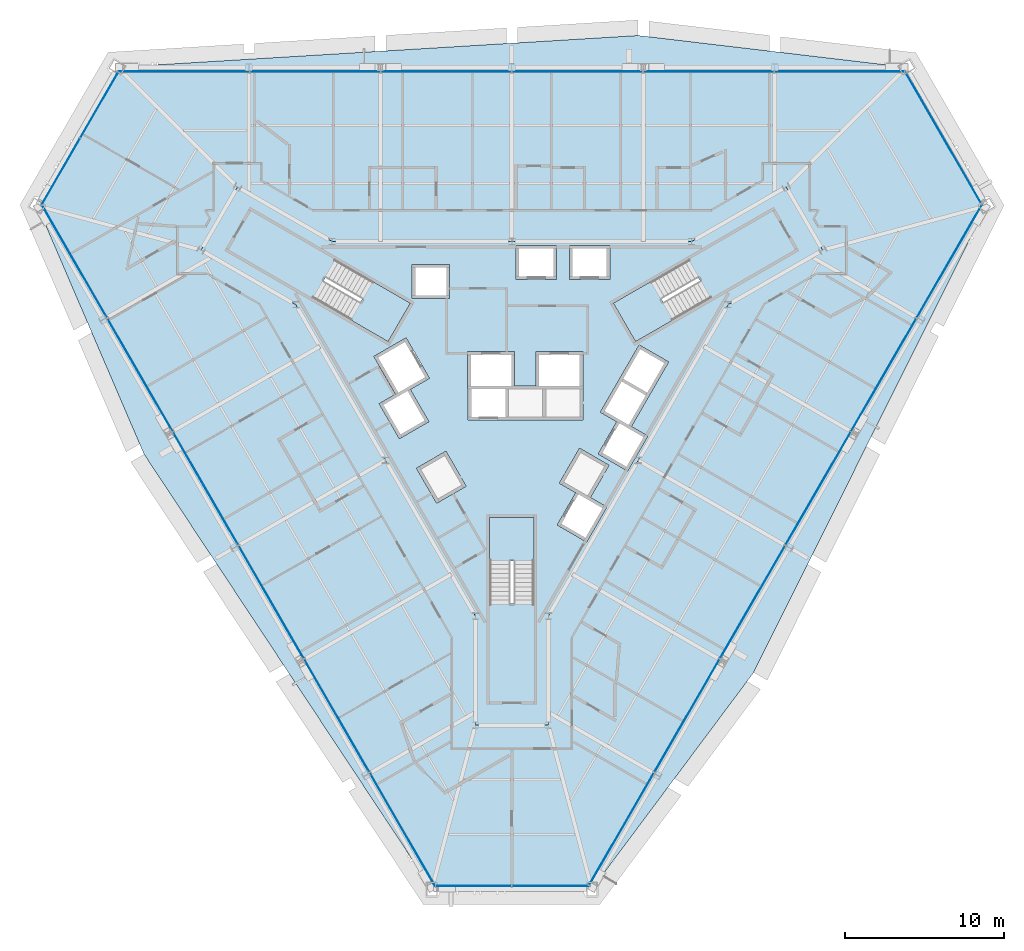
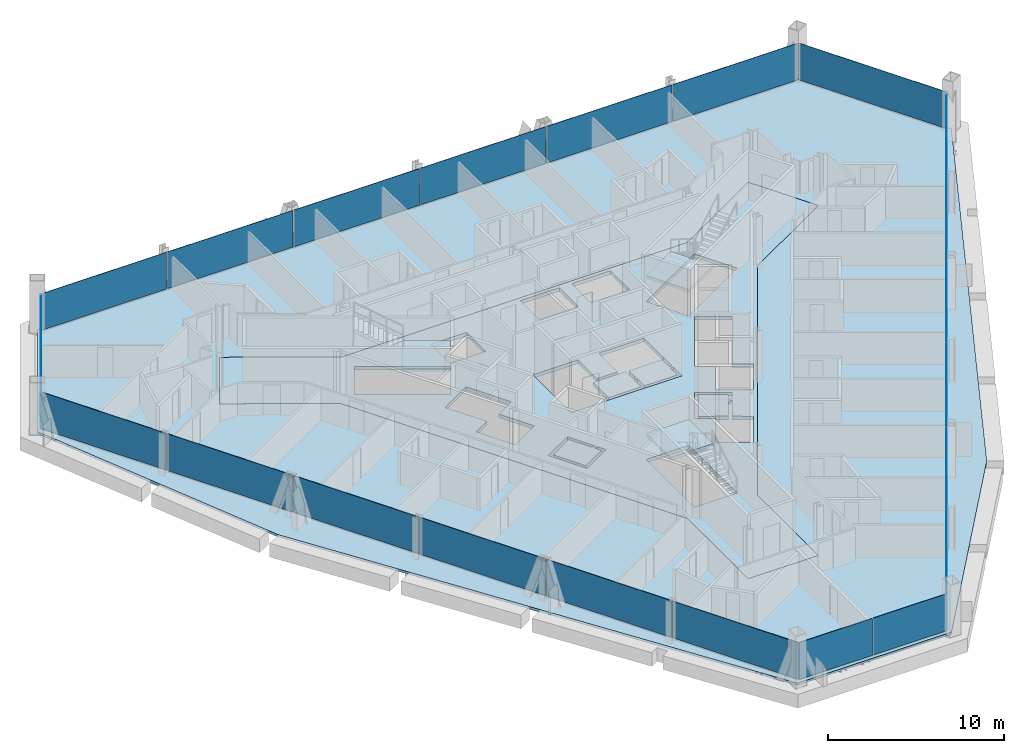
# One storey, part 9 of 17: 23 plates, 5 slabs, 9 elements without a shape of their own.
"""IFC4 building model written with IfcOpenShell, lengths in metres."""

from ifc_helpers import new_model, si_unit, direction, frame, origin, origin_2d, place, context, subcontext, project, spatial, polyline, rectangle, outline, extrude, material, layer, layer_set, type_object, element, aggregate, save


model = new_model("IFC4")

# Units and contexts
model_context = context("Model", 3, precision=1e-05, world=origin(), true_north=direction((0.0, 1.0)))
body_context = subcontext(model_context, "Body", "Model", "MODEL_VIEW")
ifc_project = project(units=[si_unit("LENGTHUNIT", "METRE"), si_unit("AREAUNIT", "SQUARE_METRE"), si_unit("VOLUMEUNIT", "CUBIC_METRE"), si_unit("PLANEANGLEUNIT", "RADIAN"), si_unit("MASSUNIT", "GRAM", prefix="KILO")], contexts=[model_context])

# Site, building, storey
site_placement = place(None, origin())
site = spatial("IfcSite", under=ifc_project, at=site_placement, CompositionType="ELEMENT")
building_placement = place(site_placement, origin())
building = spatial("IfcBuilding", under=site, at=building_placement, Name="Verrane Prism Tower", CompositionType="ELEMENT")
storey_placement = place(building_placement, frame((0.0, 0.0, 139.60009765625)))
storey = spatial("IfcBuildingStorey", under=building, at=storey_placement, Name="L34", CompositionType="ELEMENT", Elevation=139.60009765625)

# Slabs
ifc_material_1 = material(Name="Concrete C35/45", Category="concrete")
ifc_layer_1 = layer(ifc_material_1, 0.159912109375)
ifc_layer_set_1 = layer_set([ifc_layer_1], Name="Composite floor slab")
slab_type_1 = type_object("IfcSlabType", Name="Composite floor slab", PredefinedType="FLOOR", material=ifc_layer_set_1)
slab_1_placement = place(storey_placement, frame((0.0, 0.0, -0.16015625)))
element("IfcSlab", 1, at=slab_1_placement, inside=storey, type_object=slab_type_1, Name="Floor slab L34", PredefinedType="FLOOR", context=body_context, shape_type="SweptSolid", body=[
    extrude(outline(polyline([(15.23681640625, -17.989013671875), (5.047119140625, -31.63818359375), (-5.047119140625, -31.63818359375), (-23.197265625, -4.201171875), (-29.923095703125, 11.4482421875), (-24.876220703125, 20.18994140625), (7.96044921875, 22.18994140625), (24.876220703125, 20.18994140625), (29.923095703125, 11.4482421875), (15.23681640625, -17.989013671875)]), holes=[polyline([(19.60009765625, 8.659912109375), (17.300048828125, 12.639892578125), (11.330078125, 9.199951171875), (0.0, 9.199951171875), (-11.330078125, 9.199951171875), (-17.300048828125, 12.639892578125), (-19.60009765625, 8.659912109375), (-13.6298828125, 5.219970703125), (-7.969970703125, -4.60009765625), (-2.300048828125, -14.419921875), (-2.300048828125, -21.300048828125), (2.300048828125, -21.300048828125), (2.300048828125, -14.419921875), (7.969970703125, -4.60009765625), (13.6298828125, 5.219970703125), (19.60009765625, 8.659912109375)])]), origin(), (0.0, 0.0, 1.0), 0.16015625),
])
ifc_material_2 = material(Name="Concrete C40/50", Category="concrete")
ifc_layer_2 = layer(ifc_material_2, 0.25)
ifc_layer_set_2 = layer_set([ifc_layer_2], Name="Core floor slab 250 concrete C40/50")
slab_type_2 = type_object("IfcSlabType", Name="Core floor slab 250 concrete C40/50", PredefinedType="FLOOR", material=ifc_layer_set_2)
slab_2_placement = place(storey_placement, frame((0.0, 0.0, -0.25)))
element("IfcSlab", 2, at=slab_2_placement, inside=storey, type_object=slab_type_2, Name="Core floor L34", PredefinedType="FLOOR", context=body_context, shape_type="SweptSolid", body=[
    extrude(outline(polyline([(13.6298828125, 5.219970703125), (19.60009765625, 8.659912109375), (17.300048828125, 12.639892578125), (11.330078125, 9.199951171875), (0.0, 9.199951171875), (-11.330078125, 9.199951171875), (-17.300048828125, 12.639892578125), (-19.60009765625, 8.659912109375), (-13.6298828125, 5.219970703125), (-7.969970703125, -4.60009765625), (-2.300048828125, -14.419921875), (-2.300048828125, -21.300048828125), (2.300048828125, -21.300048828125), (2.300048828125, -14.419921875), (7.969970703125, -4.60009765625), (13.6298828125, 5.219970703125)]), holes=[polyline([(-1.39990234375, -8.199951171875), (1.39990234375, -8.199951171875), (1.39990234375, -13.639892578125), (-1.39990234375, -13.639892578125), (-1.39990234375, -8.199951171875)]), polyline([(-5.7451171875, -5.169921875), (-4.669921875, -7.031982421875), (-3.154052734375, -6.156982421875), (-3.39599609375, -5.738037109375), (-3.1650390625, -5.738037109375), (-2.881103515625, -6.22998046875), (-4.742919921875, -7.304931640625), (-6.01806640625, -5.096923828125), (-4.156005859375, -4.02197265625), (-3.2509765625, -5.587890625), (-3.48193359375, -5.587890625), (-4.22900390625, -4.294921875), (-5.7451171875, -5.169921875)]), polyline([(-8.7041015625, 1.955078125), (-6.66796875, 3.1298828125), (-5.193115234375, 0.574951171875), (-6.406005859375, -0.125), (-5.23095703125, -2.159912109375), (-7.093017578125, -3.235107421875), (-8.367919921875, -1.02587890625), (-7.3291015625, -0.426025390625), (-8.7041015625, 1.955078125)]), polyline([(1.52490234375, 0.10009765625), (1.52490234375, 2.25), (4.47509765625, 2.25), (4.47509765625, 0.10009765625), (4.4951171875, 0.10009765625), (4.4951171875, -0.89990234375), (4.294921875, -0.89990234375), (4.294921875, -0.10009765625), (2.14501953125, -0.10009765625), (2.14501953125, -0.89990234375), (1.945068359375, -0.89990234375), (1.945068359375, -0.10009765625), (-0.205078125, -0.10009765625), (-0.205078125, -1.85009765625), (1.945068359375, -1.85009765625), (1.945068359375, -1.050048828125), (2.14501953125, -1.050048828125), (2.14501953125, -1.85009765625), (4.294921875, -1.85009765625), (4.294921875, -1.050048828125), (4.4951171875, -1.050048828125), (4.4951171875, -2.050048828125), (-2.7548828125, -2.050048828125), (-2.7548828125, -0.10009765625), (-2.784912109375, -0.10009765625), (-2.784912109375, 2.25), (0.1650390625, 2.25), (0.1650390625, 0.10009765625), (1.52490234375, 0.10009765625)]), polyline([(-7.801025390625, 2.887939453125), (-12.512939453125, 5.60791015625), (-11.113037109375, 8.031982421875), (-6.40087890625, 5.31201171875), (-7.801025390625, 2.887939453125)]), polyline([(-6.284912109375, 5.610107421875), (-6.284912109375, 7.760009765625), (-3.93505859375, 7.760009765625), (-3.93505859375, 5.610107421875), (-6.284912109375, 5.610107421875)]), polyline([(6.1279296875, -4.906005859375), (5.843994140625, -5.39794921875), (5.613037109375, -5.39794921875), (5.85498046875, -4.97900390625), (4.339111328125, -4.10400390625), (3.263916015625, -5.966064453125), (4.780029296875, -6.841064453125), (5.52587890625, -5.548095703125), (5.757080078125, -5.548095703125), (4.952880859375, -6.94091796875), (5.991943359375, -7.541015625), (4.717041015625, -9.75), (2.85498046875, -8.675048828125), (4.030029296875, -6.639892578125), (2.990966796875, -6.0400390625), (4.26611328125, -3.8310546875), (6.1279296875, -4.906005859375)]), polyline([(6.614990234375, -2.162109375), (5.575927734375, -1.56201171875), (8.02587890625, 2.680908203125), (9.887939453125, 1.60595703125), (7.5380859375, -2.464111328125), (8.576904296875, -3.06396484375), (7.302001953125, -5.27197265625), (5.43994140625, -4.197021484375), (6.614990234375, -2.162109375)]), polyline([(7.801025390625, 2.887939453125), (6.40087890625, 5.31201171875), (11.113037109375, 8.031982421875), (12.512939453125, 5.60791015625), (7.801025390625, 2.887939453125)]), polyline([(2.81494140625, 8.9599609375), (2.81494140625, 6.81005859375), (0.264892578125, 6.81005859375), (0.264892578125, 8.9599609375), (2.81494140625, 8.9599609375)]), polyline([(3.625, 6.81005859375), (3.625, 8.9599609375), (6.175048828125, 8.9599609375), (6.175048828125, 6.81005859375), (3.625, 6.81005859375)])]), origin(), (0.0, 0.0, 1.0), 0.25),
])

# Curtain wall, plates
ifc_material_3 = material(Name="Aluminium framed insulated glazing", Category="aluminium")
curtain_wall_type_1 = type_object("IfcCurtainWallType", Name="Curtain wall CW-C 4200 module", PredefinedType="NOTDEFINED", material=ifc_material_3)
curtain_wall_1_placement = place(storey_placement, origin())
curtain_wall_1 = element("IfcCurtainWall", 3, at=curtain_wall_1_placement, inside=storey, type_object=curtain_wall_type_1, Name="Glazed curtain wall south corner L34", PredefinedType="NOTDEFINED")
ifc_material_4 = material(Name="Low-iron insulating glass unit", Category="glass")
ifc_layer_3 = layer(ifc_material_4, 0.02392578125)
ifc_layer_set_3 = layer_set([ifc_layer_3], Name="Glazing panel IGU 24")
plate_type_1 = type_object("IfcPlateType", Name="Glazing panel IGU 24", PredefinedType="CURTAIN_PANEL", material=ifc_layer_set_3)
plate_1_placement = place(storey_placement, frame((-2.408447265625, -31.435546875, 0.0498046875), z_axis=(0.0, 0.0, 1.0), x_axis=(1.0, 0.0, 0.0)))
plate_1 = element("IfcPlate", 4, at=plate_1_placement, type_object=plate_type_1, Name="CW32.5 panel 1", PredefinedType="CURTAIN_PANEL", context=body_context, shape_type="SweptSolid", body=[
    extrude(rectangle(XDim=4.766845703125, YDim=0.02392578125, at=origin_2d()), origin(), (0.0, 0.0, 1.0), 2.56298828125),
])
plate_2_placement = place(storey_placement, frame((2.433349609375, -31.435546875, 0.0498046875), z_axis=(0.0, 0.0, 1.0), x_axis=(1.0, 0.0, 0.0)))
plate_2 = element("IfcPlate", 5, at=plate_2_placement, type_object=plate_type_1, Name="CW32.5 panel 2", PredefinedType="CURTAIN_PANEL", context=body_context, shape_type="SweptSolid", body=[
    extrude(rectangle(XDim=4.81689453125, YDim=0.02392578125, at=origin_2d()), origin(), (0.0, 0.0, 1.0), 2.56298828125),
])
aggregate(curtain_wall_1, [plate_1, plate_2])

ifc_material_5 = material(Name="Aluminium framed insulated glazing", Category="aluminium")
curtain_wall_type_2 = type_object("IfcCurtainWallType", Name="Curtain wall CW-B 5600 module", PredefinedType="NOTDEFINED", material=ifc_material_5)
curtain_wall_2_placement = place(storey_placement, origin())
curtain_wall_2 = element("IfcCurtainWall", 6, at=curtain_wall_2_placement, inside=storey, type_object=curtain_wall_type_2, Name="Glazed curtain wall north-west corner L34", PredefinedType="NOTDEFINED")
ifc_material_6 = material(Name="Low-iron insulating glass unit", Category="glass")
ifc_layer_4 = layer(ifc_material_6, 0.028076171875)
ifc_layer_set_4 = layer_set([ifc_layer_4], Name="Glazing panel IGU 28")
plate_type_2 = type_object("IfcPlateType", Name="Glazing panel IGU 28", PredefinedType="CURTAIN_PANEL", material=ifc_layer_set_4)
plate_3_placement = place(storey_placement, frame((-26.02099609375, 17.80126953125, 0.06005859375), z_axis=(0.0, 0.0, 1.0), x_axis=(-0.499996279953, -0.866027551544, 0.0)))
plate_3 = element("IfcPlate", 7, at=plate_3_placement, type_object=plate_type_2, Name="CW32.3 panel 1", PredefinedType="CURTAIN_PANEL", context=body_context, shape_type="SweptSolid", body=[
    extrude(rectangle(XDim=4.751953125, YDim=0.028076171875, at=origin_2d()), origin(), (0.0, 0.0, 1.0), 2.552978515625),
])
plate_4_placement = place(storey_placement, frame((-28.44189453125, 13.608154296875, 0.06005859375), z_axis=(0.0, 0.0, 1.0), x_axis=(-0.499996279953, -0.866027551544, 0.0)))
plate_4 = element("IfcPlate", 8, at=plate_4_placement, type_object=plate_type_2, Name="CW32.3 panel 2", PredefinedType="CURTAIN_PANEL", context=body_context, shape_type="SweptSolid", body=[
    extrude(rectangle(XDim=4.81201171875, YDim=0.028076171875, at=origin_2d()), origin(), (0.0, 0.0, 1.0), 2.552978515625),
])
aggregate(curtain_wall_2, [plate_3, plate_4])

# Curtain wall, plate
ifc_material_7 = material(Name="Aluminium framed insulated glazing", Category="aluminium")
curtain_wall_type_3 = type_object("IfcCurtainWallType", Name="Curtain wall CW-A 8400 module", PredefinedType="NOTDEFINED", material=ifc_material_7)
curtain_wall_3_placement = place(storey_placement, origin())
curtain_wall_3 = element("IfcCurtainWall", 9, at=curtain_wall_3_placement, inside=storey, type_object=curtain_wall_type_3, Name="Glazed curtain wall north-east corner L34", PredefinedType="NOTDEFINED")
ifc_material_8 = material(Name="Low-iron insulating glass unit", Category="glass")
ifc_layer_5 = layer(ifc_material_8, 0.031982421875)
ifc_layer_set_5 = layer_set([ifc_layer_5], Name="Glazing panel IGU 32")
plate_type_3 = type_object("IfcPlateType", Name="Glazing panel IGU 32", PredefinedType="CURTAIN_PANEL", material=ifc_layer_set_5)
plate_5_placement = place(storey_placement, frame((27.20654296875, 15.748046875, 0.06982421875), z_axis=(0.0, 0.0, 1.0), x_axis=(-0.499996279953, 0.866027551544, 0.0)))
plate_5 = element("IfcPlate", 10, at=plate_5_placement, type_object=plate_type_3, Name="CW32.1 panel 1", PredefinedType="CURTAIN_PANEL", context=body_context, shape_type="SweptSolid", body=[
    extrude(rectangle(XDim=9.61376953125, YDim=0.031982421875, at=origin_2d()), origin(), (0.0, 0.0, 1.0), 2.54296875),
])
aggregate(curtain_wall_3, [plate_5])

# Curtain wall, plates
curtain_wall_4_placement = place(storey_placement, origin())
curtain_wall_4 = element("IfcCurtainWall", 11, at=curtain_wall_4_placement, inside=storey, type_object=curtain_wall_type_3, Name="Glazed curtain wall north face L34", PredefinedType="NOTDEFINED")
plate_6_placement = place(storey_placement, frame((20.651611328125, 19.910888671875, 0.06982421875), z_axis=(0.0, 0.0, 1.0), x_axis=(-1.0, 0.0, 0.0)))
plate_6 = element("IfcPlate", 12, at=plate_6_placement, type_object=plate_type_3, Name="CW32.2 panel 1", PredefinedType="CURTAIN_PANEL", context=body_context, shape_type="SweptSolid", body=[
    extrude(rectangle(XDim=8.16259765625, YDim=0.031982421875, at=origin_2d()), origin(), (0.0, 0.0, 1.0), 2.54296875),
])
plate_7_placement = place(storey_placement, frame((12.401611328125, 19.910888671875, 0.06982421875), z_axis=(0.0, 0.0, 1.0), x_axis=(-1.0, 0.0, 0.0)))
plate_7 = element("IfcPlate", 13, at=plate_7_placement, type_object=plate_type_3, Name="CW32.2 panel 2", PredefinedType="CURTAIN_PANEL", context=body_context, shape_type="SweptSolid", body=[
    extrude(rectangle(XDim=8.19775390625, YDim=0.031982421875, at=origin_2d()), origin(), (0.0, 0.0, 1.0), 2.54296875),
])
plate_8_placement = place(storey_placement, frame((4.1337890625, 19.910888671875, 0.06982421875), z_axis=(0.0, 0.0, 1.0), x_axis=(-1.0, 0.0, 0.0)))
plate_8 = element("IfcPlate", 14, at=plate_8_placement, type_object=plate_type_3, Name="CW32.2 panel 3", PredefinedType="CURTAIN_PANEL", context=body_context, shape_type="SweptSolid", body=[
    extrude(rectangle(XDim=8.19775390625, YDim=0.031982421875, at=origin_2d()), origin(), (0.0, 0.0, 1.0), 2.54296875),
])
plate_9_placement = place(storey_placement, frame((-4.1337890625, 19.910888671875, 0.06982421875), z_axis=(0.0, 0.0, 1.0), x_axis=(-1.0, 0.0, 0.0)))
plate_9 = element("IfcPlate", 15, at=plate_9_placement, type_object=plate_type_3, Name="CW32.2 panel 4", PredefinedType="CURTAIN_PANEL", context=body_context, shape_type="SweptSolid", body=[
    extrude(rectangle(XDim=8.19775390625, YDim=0.031982421875, at=origin_2d()), origin(), (0.0, 0.0, 1.0), 2.54296875),
])
plate_10_placement = place(storey_placement, frame((-12.401611328125, 19.910888671875, 0.06982421875), z_axis=(0.0, 0.0, 1.0), x_axis=(-1.0, 0.0, 0.0)))
plate_10 = element("IfcPlate", 16, at=plate_10_placement, type_object=plate_type_3, Name="CW32.2 panel 5", PredefinedType="CURTAIN_PANEL", context=body_context, shape_type="SweptSolid", body=[
    extrude(rectangle(XDim=8.19775390625, YDim=0.031982421875, at=origin_2d()), origin(), (0.0, 0.0, 1.0), 2.54296875),
])
plate_11_placement = place(storey_placement, frame((-20.686767578125, 19.910888671875, 0.06982421875), z_axis=(0.0, 0.0, 1.0), x_axis=(-1.0, 0.0, 0.0)))
plate_11 = element("IfcPlate", 17, at=plate_11_placement, type_object=plate_type_3, Name="CW32.2 panel 6", PredefinedType="CURTAIN_PANEL", context=body_context, shape_type="SweptSolid", body=[
    extrude(rectangle(XDim=8.232666015625, YDim=0.031982421875, at=origin_2d()), origin(), (0.0, 0.0, 1.0), 2.54296875),
])
aggregate(curtain_wall_4, [plate_6, plate_7, plate_8, plate_9, plate_10, plate_11])

curtain_wall_5_placement = place(storey_placement, origin())
curtain_wall_5 = element("IfcCurtainWall", 18, at=curtain_wall_5_placement, inside=storey, type_object=curtain_wall_type_3, Name="Glazed curtain wall south-west face L34", PredefinedType="NOTDEFINED")
plate_12_placement = place(storey_placement, frame((-27.5693359375, 7.929443359375, 0.06982421875), z_axis=(0.0, 0.0, 1.0), x_axis=(0.500000490406, -0.866025120648, 0.0)))
plate_12 = element("IfcPlate", 19, at=plate_12_placement, type_object=plate_type_3, Name="CW32.4 panel 1", PredefinedType="CURTAIN_PANEL", context=body_context, shape_type="SweptSolid", body=[
    extrude(rectangle(XDim=8.16259765625, YDim=0.031982421875, at=origin_2d()), origin(), (0.0, 0.0, 1.0), 2.54296875),
])
plate_13_placement = place(storey_placement, frame((-23.444091796875, 0.784423828125, 0.06982421875), z_axis=(0.0, 0.0, 1.0), x_axis=(0.500000490406, -0.866025120648, 0.0)))
plate_13 = element("IfcPlate", 20, at=plate_13_placement, type_object=plate_type_3, Name="CW32.4 panel 2", PredefinedType="CURTAIN_PANEL", context=body_context, shape_type="SweptSolid", body=[
    extrude(rectangle(XDim=8.19775390625, YDim=0.031982421875, at=origin_2d()), origin(), (0.0, 0.0, 1.0), 2.54296875),
])
plate_14_placement = place(storey_placement, frame((-19.310302734375, -6.37548828125, 0.06982421875), z_axis=(0.0, 0.0, 1.0), x_axis=(0.500000490406, -0.866025120648, 0.0)))
plate_14 = element("IfcPlate", 21, at=plate_14_placement, type_object=plate_type_3, Name="CW32.4 panel 3", PredefinedType="CURTAIN_PANEL", context=body_context, shape_type="SweptSolid", body=[
    extrude(rectangle(XDim=8.19775390625, YDim=0.031982421875, at=origin_2d()), origin(), (0.0, 0.0, 1.0), 2.54296875),
])
plate_15_placement = place(storey_placement, frame((-15.176513671875, -13.535400390625, 0.06982421875), z_axis=(0.0, 0.0, 1.0), x_axis=(0.500000490406, -0.866025120648, 0.0)))
plate_15 = element("IfcPlate", 22, at=plate_15_placement, type_object=plate_type_3, Name="CW32.4 panel 4", PredefinedType="CURTAIN_PANEL", context=body_context, shape_type="SweptSolid", body=[
    extrude(rectangle(XDim=8.19775390625, YDim=0.031982421875, at=origin_2d()), origin(), (0.0, 0.0, 1.0), 2.54296875),
])
plate_16_placement = place(storey_placement, frame((-11.042724609375, -20.695556640625, 0.06982421875), z_axis=(0.0, 0.0, 1.0), x_axis=(0.500000490406, -0.866025120648, 0.0)))
plate_16 = element("IfcPlate", 23, at=plate_16_placement, type_object=plate_type_3, Name="CW32.4 panel 5", PredefinedType="CURTAIN_PANEL", context=body_context, shape_type="SweptSolid", body=[
    extrude(rectangle(XDim=8.19775390625, YDim=0.031982421875, at=origin_2d()), origin(), (0.0, 0.0, 1.0), 2.54296875),
])
plate_17_placement = place(storey_placement, frame((-6.900146484375, -27.87060546875, 0.06982421875), z_axis=(0.0, 0.0, 1.0), x_axis=(0.500000490406, -0.866025120648, 0.0)))
plate_17 = element("IfcPlate", 24, at=plate_17_placement, type_object=plate_type_3, Name="CW32.4 panel 6", PredefinedType="CURTAIN_PANEL", context=body_context, shape_type="SweptSolid", body=[
    extrude(rectangle(XDim=8.232666015625, YDim=0.031982421875, at=origin_2d()), origin(), (0.0, 0.0, 1.0), 2.54296875),
])
aggregate(curtain_wall_5, [plate_12, plate_13, plate_14, plate_15, plate_16, plate_17])

curtain_wall_6_placement = place(storey_placement, origin())
curtain_wall_6 = element("IfcCurtainWall", 25, at=curtain_wall_6_placement, inside=storey, type_object=curtain_wall_type_3, Name="Glazed curtain wall south-east face L34", PredefinedType="NOTDEFINED")
plate_18_placement = place(storey_placement, frame((6.91748046875, -27.84033203125, 0.06982421875), z_axis=(0.0, 0.0, 1.0), x_axis=(0.500000490406, 0.866025120648, 0.0)))
plate_18 = element("IfcPlate", 26, at=plate_18_placement, type_object=plate_type_3, Name="CW32.6 panel 1", PredefinedType="CURTAIN_PANEL", context=body_context, shape_type="SweptSolid", body=[
    extrude(rectangle(XDim=8.16259765625, YDim=0.031982421875, at=origin_2d()), origin(), (0.0, 0.0, 1.0), 2.54296875),
])
plate_19_placement = place(storey_placement, frame((11.042724609375, -20.695556640625, 0.06982421875), z_axis=(0.0, 0.0, 1.0), x_axis=(0.500000490406, 0.866025120648, 0.0)))
plate_19 = element("IfcPlate", 27, at=plate_19_placement, type_object=plate_type_3, Name="CW32.6 panel 2", PredefinedType="CURTAIN_PANEL", context=body_context, shape_type="SweptSolid", body=[
    extrude(rectangle(XDim=8.19775390625, YDim=0.031982421875, at=origin_2d()), origin(), (0.0, 0.0, 1.0), 2.54296875),
])
plate_20_placement = place(storey_placement, frame((15.176513671875, -13.535400390625, 0.06982421875), z_axis=(0.0, 0.0, 1.0), x_axis=(0.500000490406, 0.866025120648, 0.0)))
plate_20 = element("IfcPlate", 28, at=plate_20_placement, type_object=plate_type_3, Name="CW32.6 panel 3", PredefinedType="CURTAIN_PANEL", context=body_context, shape_type="SweptSolid", body=[
    extrude(rectangle(XDim=8.19775390625, YDim=0.031982421875, at=origin_2d()), origin(), (0.0, 0.0, 1.0), 2.54296875),
])
plate_21_placement = place(storey_placement, frame((19.310302734375, -6.37548828125, 0.06982421875), z_axis=(0.0, 0.0, 1.0), x_axis=(0.500000490406, 0.866025120648, 0.0)))
plate_21 = element("IfcPlate", 29, at=plate_21_placement, type_object=plate_type_3, Name="CW32.6 panel 4", PredefinedType="CURTAIN_PANEL", context=body_context, shape_type="SweptSolid", body=[
    extrude(rectangle(XDim=8.19775390625, YDim=0.031982421875, at=origin_2d()), origin(), (0.0, 0.0, 1.0), 2.54296875),
])
plate_22_placement = place(storey_placement, frame((23.444091796875, 0.784423828125, 0.06982421875), z_axis=(0.0, 0.0, 1.0), x_axis=(0.500000490406, 0.866025120648, 0.0)))
plate_22 = element("IfcPlate", 30, at=plate_22_placement, type_object=plate_type_3, Name="CW32.6 panel 5", PredefinedType="CURTAIN_PANEL", context=body_context, shape_type="SweptSolid", body=[
    extrude(rectangle(XDim=8.19775390625, YDim=0.031982421875, at=origin_2d()), origin(), (0.0, 0.0, 1.0), 2.54296875),
])
plate_23_placement = place(storey_placement, frame((27.586669921875, 7.959716796875, 0.06982421875), z_axis=(0.0, 0.0, 1.0), x_axis=(0.500000490406, 0.866025120648, 0.0)))
plate_23 = element("IfcPlate", 31, at=plate_23_placement, type_object=plate_type_3, Name="CW32.6 panel 6", PredefinedType="CURTAIN_PANEL", context=body_context, shape_type="SweptSolid", body=[
    extrude(rectangle(XDim=8.232666015625, YDim=0.031982421875, at=origin_2d()), origin(), (0.0, 0.0, 1.0), 2.54296875),
])
aggregate(curtain_wall_6, [plate_18, plate_19, plate_20, plate_21, plate_22, plate_23])

# Stair, slab
ifc_material_9 = material(Name="Concrete C40/50", Category="concrete")
stair_type = type_object("IfcStairType", Name="Exit stair 1300 dog-leg precast concrete C40/50", PredefinedType="HALF_TURN_STAIR", material=ifc_material_9)
stair_1_placement = place(storey_placement, origin())
stair_1 = element("IfcStair", 32, at=stair_1_placement, inside=storey, type_object=stair_type, Name="Stair 1 L34", PredefinedType="HALF_TURN_STAIR")
ifc_material_10 = material(Name="Concrete C40/50", Category="concrete")
ifc_layer_6 = layer(ifc_material_10, 0.199951171875)
ifc_layer_set_6 = layer_set([ifc_layer_6], Name="Stair landing 200 precast concrete C40/50")
slab_type_3 = type_object("IfcSlabType", Name="Stair landing 200 precast concrete C40/50", PredefinedType="LANDING", material=ifc_layer_set_6)
slab_3_placement = place(storey_placement, frame((0.0, 0.0, 1.599853515625)))
slab_3 = element("IfcSlab", 33, at=slab_3_placement, type_object=slab_type_3, Name="Stair 1 landing 1", PredefinedType="LANDING", context=body_context, shape_type="SweptSolid", body=[
    extrude(outline(polyline([(8.791748046875, 6.6923828125), (6.4013671875, 5.3125), (7.801513671875, 2.887451171875), (10.191650390625, 4.267578125), (8.791748046875, 6.6923828125)])), origin(), (0.0, 0.0, 1.0), 0.199951171875),
])
aggregate(stair_1, [slab_3])

stair_2_placement = place(storey_placement, origin())
stair_2 = element("IfcStair", 34, at=stair_2_placement, inside=storey, type_object=stair_type, Name="Stair 2 L34", PredefinedType="HALF_TURN_STAIR")
slab_4_placement = place(storey_placement, frame((0.0, 0.0, 1.599853515625)))
slab_4 = element("IfcSlab", 35, at=slab_4_placement, type_object=slab_type_3, Name="Stair 2 landing 1", PredefinedType="LANDING", context=body_context, shape_type="SweptSolid", body=[
    extrude(outline(polyline([(-10.191650390625, 4.267578125), (-7.801513671875, 2.887451171875), (-6.4013671875, 5.3125), (-8.791748046875, 6.6923828125), (-10.191650390625, 4.267578125)])), origin(), (0.0, 0.0, 1.0), 0.199951171875),
])
aggregate(stair_2, [slab_4])

stair_3_placement = place(storey_placement, origin())
stair_3 = element("IfcStair", 36, at=stair_3_placement, inside=storey, type_object=stair_type, Name="Stair 3 L34", PredefinedType="HALF_TURN_STAIR")
slab_5_placement = place(storey_placement, frame((0.0, 0.0, 1.599853515625)))
slab_5 = element("IfcSlab", 37, at=slab_5_placement, type_object=slab_type_3, Name="Stair 3 landing 1", PredefinedType="LANDING", context=body_context, shape_type="SweptSolid", body=[
    extrude(outline(polyline([(1.39990234375, -10.9599609375), (1.39990234375, -8.199951171875), (-1.39990234375, -8.199951171875), (-1.39990234375, -10.9599609375), (1.39990234375, -10.9599609375)])), origin(), (0.0, 0.0, 1.0), 0.199951171875),
])
aggregate(stair_3, [slab_5])

save(model, "model.ifc")
